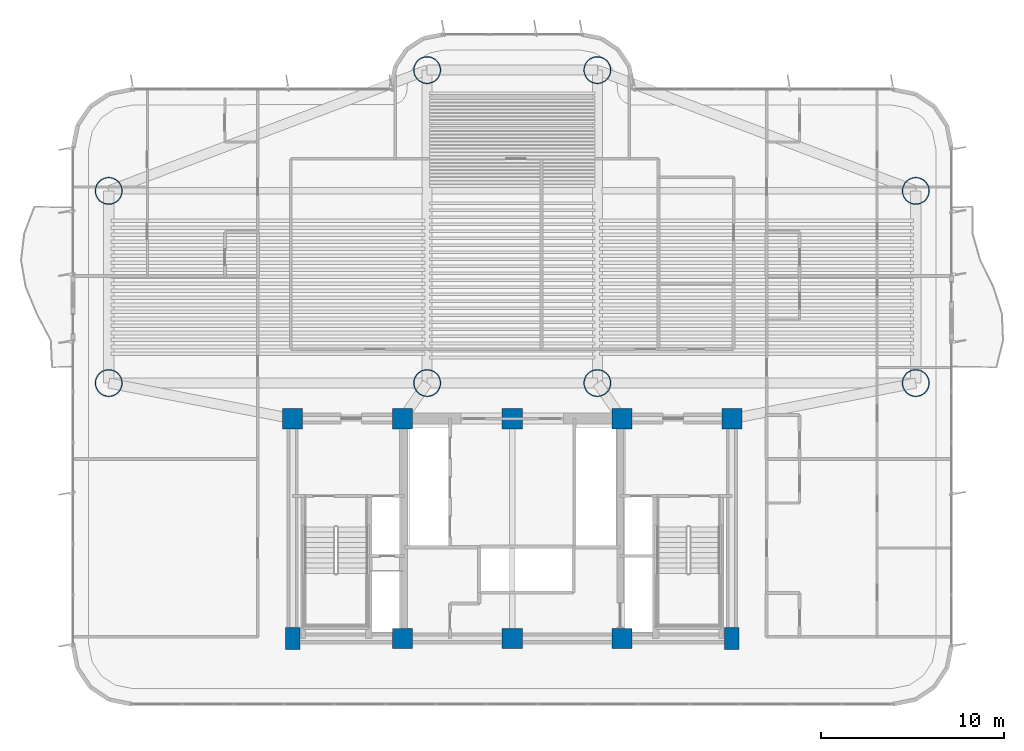
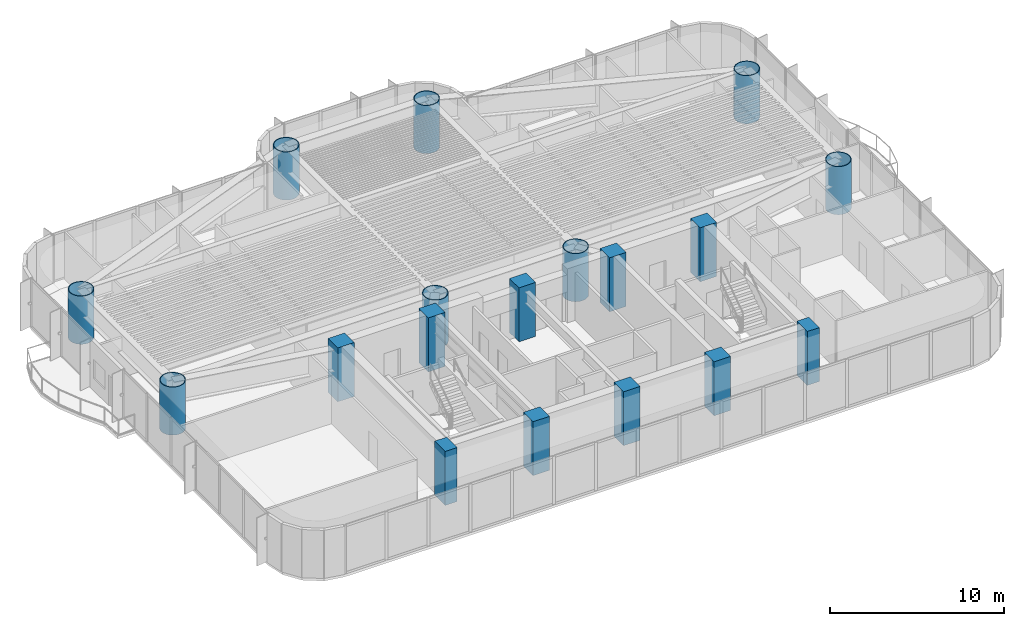
# One storey, part 1 of 17: 18 columns.
"""IFC4 building model written with IfcOpenShell, lengths in metres."""

from ifc_helpers import new_model, si_unit, direction, frame, origin, origin_2d, place, context, subcontext, project, spatial, rectangle, hollow_circle, extrude, source, transform, mapped, material, material_profile, profile_set, type_object, element, save


model = new_model("IFC4")

# Units and contexts
model_context = context("Model", 3, precision=1e-05, world=origin(), true_north=direction((0.0, 1.0)))
body_context = subcontext(model_context, "Body", "Model", "MODEL_VIEW")
ifc_project = project(units=[si_unit("LENGTHUNIT", "METRE"), si_unit("AREAUNIT", "SQUARE_METRE"), si_unit("VOLUMEUNIT", "CUBIC_METRE"), si_unit("PLANEANGLEUNIT", "RADIAN"), si_unit("MASSUNIT", "GRAM", prefix="KILO")], contexts=[model_context])

# Site, building, storey
site_placement = place(None, origin())
site = spatial("IfcSite", under=ifc_project, at=site_placement, CompositionType="ELEMENT")
building_placement = place(site_placement, origin())
building = spatial("IfcBuilding", under=site, at=building_placement, Name="Brelvock Crest Care Tower", CompositionType="ELEMENT")
storey_placement = place(building_placement, frame((0.0, 0.0, 76.139892578125)))
storey = spatial("IfcBuildingStorey", under=building, at=storey_placement, Name="L19", CompositionType="ELEMENT", Elevation=76.139892578125)

# Columns
ifc_material_1 = material(Name="Concrete S80 (80 MPa)", Category="concrete")
ifc_material_profile_1 = material_profile(ifc_material_1, rectangle(XDim=0.800048828125, YDim=1.199951171875, at=origin_2d()), Name="RC800x1200")
ifc_profile_set_1 = profile_set([ifc_material_profile_1], Name="Concrete S80 (80 MPa)")
column_type_1 = type_object("IfcColumnType", Name="COL-RC5", PredefinedType="COLUMN", material=ifc_profile_set_1)
shared_shape_1 = source(origin(), body_context, "Body", "SweptSolid", [
    extrude(rectangle(XDim=0.800048828125, YDim=1.199951171875, at=origin_2d()), origin(), (0.0, 0.0, 1.0), 3.780029296875),
])
for number, where, z_axis, x_axis, name in (
    (1, (24.0, 6.0, 0.0), (0.0, 0.0, 1.0), (1.0, 0.0, 0.0), "L19 Core Column CC-01"),
    (2, (48.0, 6.0, 0.0), (0.0, 0.0, 1.0), (1.0, 0.0, 0.0), "L19 Core Column CC-05"),
):
    element("IfcColumn", number, at=place(storey_placement, frame(where, z_axis=z_axis, x_axis=x_axis)), inside=storey, type_object=column_type_1, Name=name, PredefinedType="COLUMN", context=body_context, shape_type="MappedRepresentation", body=[
        mapped(shared_shape_1, transform((0.0, 0.0, 0.0), x_axis=(1.0, 0.0, 0.0), y_axis=(0.0, 1.0, 0.0), z_axis=(0.0, 0.0, 1.0), scale=1.0)),
    ])
ifc_material_profile_2 = material_profile(ifc_material_1, rectangle(XDim=1.10009765625, YDim=1.10009765625, at=origin_2d()), Name="RC1100x1100")
ifc_profile_set_2 = profile_set([ifc_material_profile_2], Name="Concrete S80 (80 MPa)")
column_type_2 = type_object("IfcColumnType", Name="COL-RC1", PredefinedType="COLUMN", material=ifc_profile_set_2)
shared_shape_2 = source(origin(), body_context, "Body", "SweptSolid", [
    extrude(rectangle(XDim=1.10009765625, YDim=1.10009765625, at=origin_2d()), origin(), (0.0, 0.0, 1.0), 3.780029296875),
])
for number, where, z_axis, x_axis, name in (
    (3, (30.0, 6.0, 0.0), (0.0, 0.0, 1.0), (1.0, 0.0, 0.0), "L19 Core Column CC-02"),
    (4, (36.0, 6.0, 0.0), (0.0, 0.0, 1.0), (1.0, 0.0, 0.0), "L19 Core Column CC-03"),
    (5, (42.0, 6.0, 0.0), (0.0, 0.0, 1.0), (1.0, 0.0, 0.0), "L19 Core Column CC-04"),
    (6, (24.0, 18.0, 0.0), (0.0, 0.0, 1.0), (1.0, 0.0, 0.0), "L19 Core Column CC-06"),
    (7, (30.0, 18.0, 0.0), (0.0, 0.0, 1.0), (1.0, 0.0, 0.0), "L19 Core Column CC-07"),
    (8, (36.0, 18.0, 0.0), (0.0, 0.0, 1.0), (1.0, 0.0, 0.0), "L19 Core Column CC-08"),
    (9, (42.0, 18.0, 0.0), (0.0, 0.0, 1.0), (1.0, 0.0, 0.0), "L19 Core Column CC-09"),
    (10, (48.0, 18.0, 0.0), (0.0, 0.0, 1.0), (1.0, 0.0, 0.0), "L19 Core Column CC-10"),
):
    element("IfcColumn", number, at=place(storey_placement, frame(where, z_axis=z_axis, x_axis=x_axis)), inside=storey, type_object=column_type_2, Name=name, PredefinedType="COLUMN", context=body_context, shape_type="MappedRepresentation", body=[
        mapped(shared_shape_2, transform((0.0, 0.0, 0.0), x_axis=(1.0, 0.0, 0.0), y_axis=(0.0, 1.0, 0.0), z_axis=(0.0, 0.0, 1.0), scale=1.0)),
    ])
ifc_material_2 = material(Name="Steel Grade 350", Category="steel")
ifc_material_profile_3 = material_profile(ifc_material_2, hollow_circle(Radius=0.75, WallThickness=0.050048828125, at=origin_2d()), Name="CFT1500x50")
ifc_profile_set_3 = profile_set([ifc_material_profile_3], Name="Steel Grade 350")
column_type_3 = type_object("IfcColumnType", Name="COL-MC1", PredefinedType="COLUMN", material=ifc_profile_set_3)
shared_shape_3 = source(origin(), body_context, "Body", "SweptSolid", [
    extrude(hollow_circle(Radius=0.75, WallThickness=0.050048828125, at=origin_2d()), origin(), (0.0, 0.0, 1.0), 3.3720703125),
])
for number, where, z_axis, x_axis, name in (
    (11, (13.949951171875, 19.949951171875, 0.0), (0.0, 0.0, 1.0), (1.0, 0.0, 0.0), "L19 Tower Column M1"),
    (12, (13.949951171875, 30.449951171875, 0.0), (0.0, 0.0, 1.0), (1.0, 0.0, 0.0), "L19 Tower Column M2"),
    (13, (58.050048828125, 19.949951171875, 0.0), (0.0, 0.0, 1.0), (1.0, 0.0, 0.0), "L19 Tower Column M3"),
    (14, (58.050048828125, 30.449951171875, 0.0), (0.0, 0.0, 1.0), (1.0, 0.0, 0.0), "L19 Tower Column M4"),
    (15, (31.35009765625, 19.949951171875, 0.0), (0.0, 0.0, 1.0), (1.0, 0.0, 0.0), "L19 Tower Column M5"),
    (16, (40.64990234375, 19.949951171875, 0.0), (0.0, 0.0, 1.0), (1.0, 0.0, 0.0), "L19 Tower Column M6"),
    (17, (31.35009765625, 37.050048828125, 0.0), (0.0, 0.0, 1.0), (1.0, 0.0, 0.0), "L19 Tower Column M7"),
    (18, (40.64990234375, 37.050048828125, 0.0), (0.0, 0.0, 1.0), (1.0, 0.0, 0.0), "L19 Tower Column M8"),
):
    element("IfcColumn", number, at=place(storey_placement, frame(where, z_axis=z_axis, x_axis=x_axis)), inside=storey, type_object=column_type_3, Name=name, PredefinedType="COLUMN", context=body_context, shape_type="MappedRepresentation", body=[
        mapped(shared_shape_3, transform((0.0, 0.0, 0.0), x_axis=(1.0, 0.0, 0.0), y_axis=(0.0, 1.0, 0.0), z_axis=(0.0, 0.0, 1.0), scale=1.0)),
    ])

save(model, "model.ifc")
